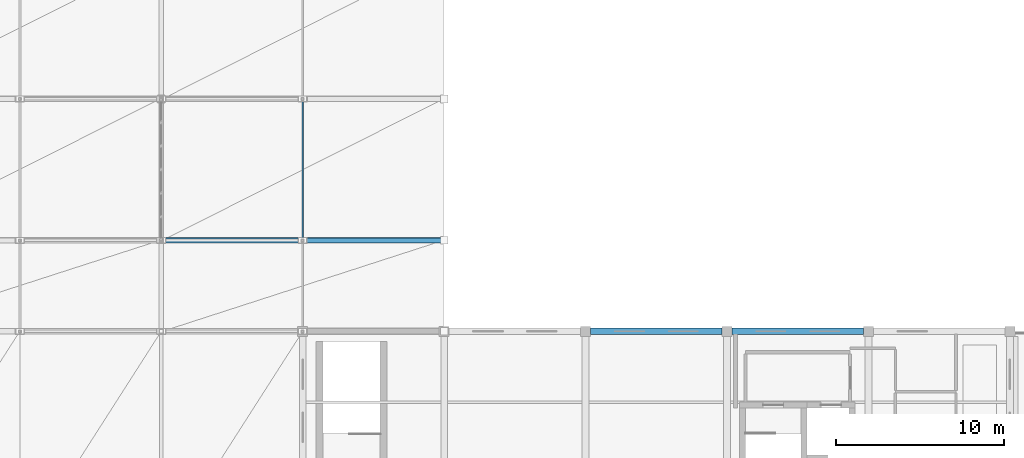
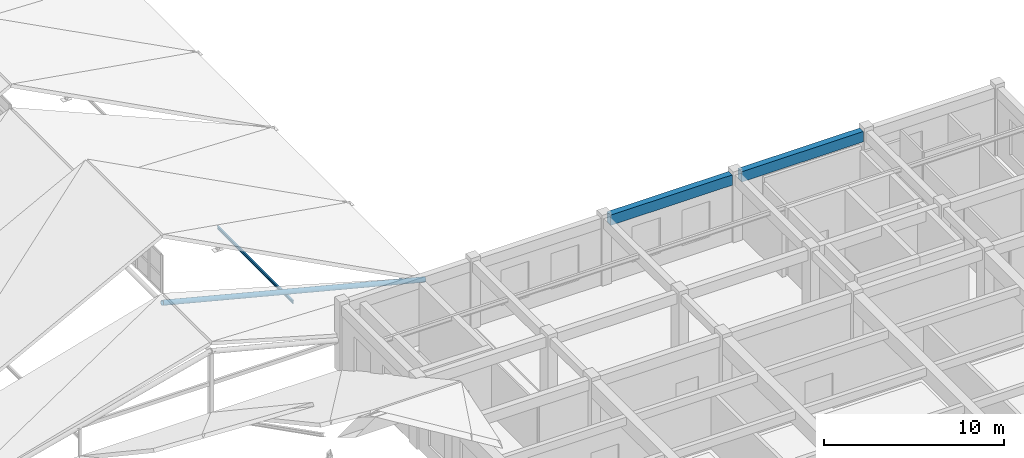
# One storey, part 21 of 76: 2 beams, 2 members.
"""IFC4 building model written with IfcOpenShell, lengths in metres."""

from ifc_helpers import new_model, si_unit, direction, frame, origin, origin_2d, place, context, subcontext, project, spatial, rectangle, hollow_circle, i_section, extrude, material, material_profile, profile_set, type_object, element, save


model = new_model("IFC4")

# Units and contexts
model_context = context("Model", 3, precision=1e-05, world=origin(), true_north=direction((0.0, 1.0)))
body_context = subcontext(model_context, "Body", "Model", "MODEL_VIEW")
ifc_project = project(units=[si_unit("LENGTHUNIT", "METRE"), si_unit("AREAUNIT", "SQUARE_METRE"), si_unit("VOLUMEUNIT", "CUBIC_METRE"), si_unit("PLANEANGLEUNIT", "RADIAN"), si_unit("MASSUNIT", "GRAM", prefix="KILO")], contexts=[model_context])

# Site, building, storey
site_placement = place(None, origin())
site = spatial("IfcSite", under=ifc_project, at=site_placement, CompositionType="ELEMENT")
building_placement = place(site_placement, origin())
building = spatial("IfcBuilding", under=site, at=building_placement, Name="Krzemoval Escarpment Law Courts", CompositionType="ELEMENT")
storey_placement = place(building_placement, frame((0.0, 0.0, 20.39990234375)))
storey = spatial("IfcBuildingStorey", under=building, at=storey_placement, Name="L04", CompositionType="ELEMENT", Elevation=20.39990234375)

# Beams
ifc_material_1 = material(Name="Concrete C40/50", Category="concrete")
ifc_material_profile_1 = material_profile(ifc_material_1, rectangle(XDim=0.39990234375, YDim=0.699951171875, at=origin_2d()), Name="RCB 400x700")
ifc_profile_set_1 = profile_set([ifc_material_profile_1], Name="Concrete C40/50")
beam_type = type_object("IfcBeamType", Name="BM-RC-400x700", PredefinedType="BEAM", material=ifc_profile_set_1)
beam_1_placement = place(storey_placement, frame((50.699951171875, 35.39990234375, 4.2001953125), z_axis=(1.0, 0.0, 0.0), x_axis=(0.0, 1.0, 0.0)))
element("IfcBeam", 1, at=beam_1_placement, inside=storey, type_object=beam_type, Name="Beam FG-L04-2446", PredefinedType="BEAM", context=body_context, shape_type="SweptSolid", body=[
    extrude(rectangle(XDim=0.39990234375, YDim=0.699951171875, at=origin_2d()), origin(), (0.0, 0.0, 1.0), 7.800048828125),
])
beam_2_placement = place(storey_placement, frame((59.10009765625, 35.39990234375, 4.2001953125), z_axis=(1.0, 0.0, 0.0), x_axis=(0.0, 1.0, 0.0)))
element("IfcBeam", 2, at=beam_2_placement, inside=storey, type_object=beam_type, Name="Beam FG-L04-2447", PredefinedType="BEAM", context=body_context, shape_type="SweptSolid", body=[
    extrude(rectangle(XDim=0.39990234375, YDim=0.699951171875, at=origin_2d()), origin(), (0.0, 0.0, 1.0), 7.7998046875),
])

# Members
ifc_material_2 = material(Name="Steel S355", Category="steel")
ifc_material_profile_2 = material_profile(ifc_material_2, hollow_circle(Radius=0.161865234375, WallThickness=0.01611328125, at=origin_2d()), Name="CHS 323.9x16")
ifc_profile_set_2 = profile_set([ifc_material_profile_2], Name="Steel S355")
member_type_1 = type_object("IfcMemberType", Name="MBR-CHD-CHS324", PredefinedType="CHORD", material=ifc_profile_set_2)
member_1_placement = place(storey_placement, frame((25.199951171875, 40.800048828125, 4.150146484375), z_axis=(0.96876999437, 0.0, -0.247961081639), x_axis=(0.0, 1.0, 0.0)))
element("IfcMember", 3, at=member_1_placement, inside=storey, type_object=member_type_1, Name="Roof Rafter Chord TC-0011", PredefinedType="CHORD", context=body_context, shape_type="SweptSolid", body=[
    extrude(hollow_circle(Radius=0.161865234375, WallThickness=0.01611328125, at=origin_2d()), origin(), (0.0, 0.0, 1.0), 17.341552734375),
])
ifc_material_3 = material(Name="Steel S355", Category="steel")
ifc_material_profile_3 = material_profile(ifc_material_3, i_section(OverallWidth=0.10009765625, OverallDepth=0.199951171875, WebThickness=0.005615234375, FlangeThickness=0.008544921875, at=origin_2d()), Name="IPE 200")
ifc_profile_set_3 = profile_set([ifc_material_profile_3], Name="Steel S355")
member_type_2 = type_object("IfcMemberType", Name="MBR-PUR-IPE200", PredefinedType="PURLIN", material=ifc_profile_set_3)
member_2_placement = place(storey_placement, frame((33.60009765625, 40.800048828125, 1.25), z_axis=(0.0, 1.0, 0.0), x_axis=(-1.0, 0.0, 0.0)))
element("IfcMember", 4, at=member_2_placement, inside=storey, type_object=member_type_2, Name="Roof Purlin PR-0060", PredefinedType="PURLIN", context=body_context, shape_type="SweptSolid", body=[
    extrude(i_section(OverallWidth=0.10009765625, OverallDepth=0.199951171875, WebThickness=0.005615234375, FlangeThickness=0.008544921875, at=origin_2d()), origin(), (0.0, 0.0, 1.0), 8.39990234375),
])

save(model, "model.ifc")
